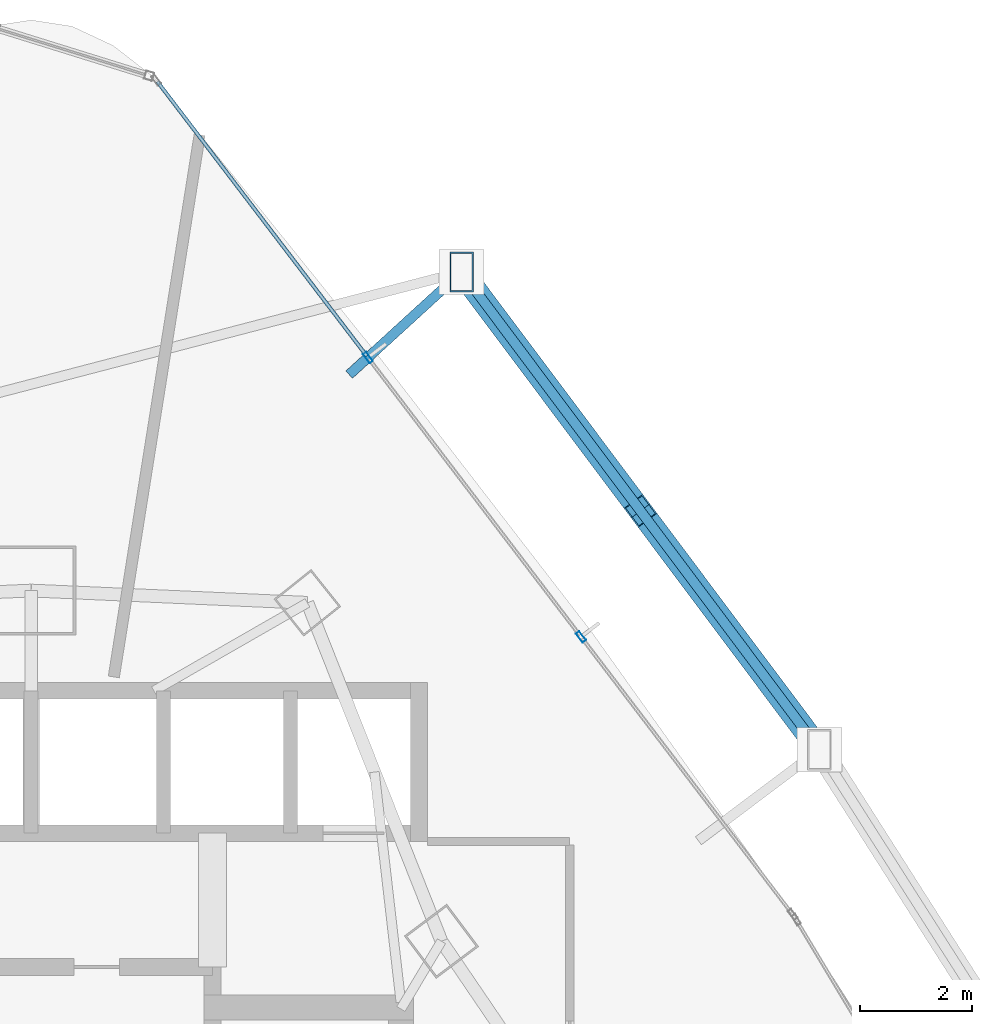
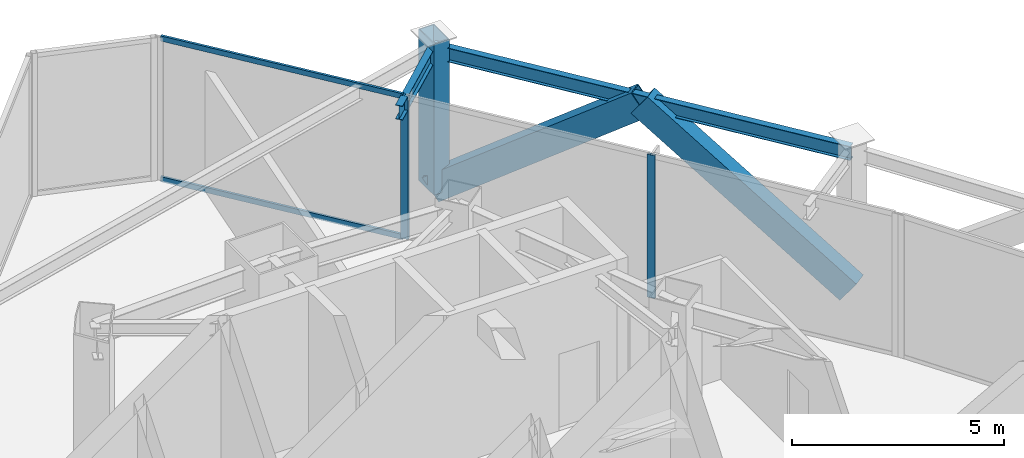
# One storey, part 26 of 33: 7 members, 2 beams, 1 element without a shape of its own.
"""IFC4 building model written with IfcOpenShell, lengths in metres."""

from ifc_helpers import new_model, si_unit, direction, frame, origin, origin_2d, place, context, subcontext, project, spatial, hollow_rectangle, i_section, extrude, material, layer, layer_set, material_profile, profile_set, type_object, element, aggregate, save


model = new_model("IFC4")

# Units and contexts
model_context = context("Model", 3, precision=1e-05, world=origin(), true_north=direction((0.0, 1.0)))
body_context = subcontext(model_context, "Body", "Model", "MODEL_VIEW")
ifc_project = project(units=[si_unit("LENGTHUNIT", "METRE"), si_unit("AREAUNIT", "SQUARE_METRE"), si_unit("VOLUMEUNIT", "CUBIC_METRE"), si_unit("PLANEANGLEUNIT", "RADIAN"), si_unit("MASSUNIT", "GRAM", prefix="KILO")], contexts=[model_context])

# Site, building, storey
site_placement = place(None, origin())
site = spatial("IfcSite", under=ifc_project, at=site_placement, CompositionType="ELEMENT")
building_placement = place(site_placement, origin())
building = spatial("IfcBuilding", under=site, at=building_placement, Name="Orvanel Arch Residences", CompositionType="ELEMENT")
storey_placement = place(building_placement, frame((0.0, 0.0, 59.89990234375)))
storey = spatial("IfcBuildingStorey", under=building, at=storey_placement, Name="L16", CompositionType="ELEMENT", Elevation=59.89990234375)

# Members
ifc_material_1 = material(Name="Structural steel AS/NZS 3678 Grade 350", Category="steel")
ifc_material_profile_1 = material_profile(ifc_material_1, hollow_rectangle(XDim=0.419921875, YDim=0.719970703125, WallThickness=0.02490234375, at=origin_2d()), Name="RHS720x420x25")
ifc_profile_set_1 = profile_set([ifc_material_profile_1], Name="Structural steel AS/NZS 3678 Grade 350")
member_type_1 = type_object("IfcMemberType", Name="BR-720RHS-EXT", PredefinedType="BRACE", material=ifc_profile_set_1)
for number, where, z_axis, x_axis, name in (
    (1, (47.1259765625, 38.544921875, 0.0), (-0.484157702855, 0.646293035898, 0.5898276278), (-0.800333976043, -0.599554440223, 0.0), "L16 Exterior Sky-Garden V-Frame Chevron F3B3.1"),
    (2, (40.7119140625, 47.10693359375, 0.0), (0.484157702855, -0.646293035898, 0.5898276278), (0.800333976043, 0.599554440223, 0.0), "L16 Exterior Sky-Garden V-Frame Chevron F3B3.2"),
):
    element("IfcMember", number, at=place(storey_placement, frame(where, z_axis=z_axis, x_axis=x_axis)), inside=storey, type_object=member_type_1, Name=name, PredefinedType="BRACE", context=body_context, shape_type="SweptSolid", body=[
        extrude(hollow_rectangle(XDim=0.419921875, YDim=0.719970703125, WallThickness=0.02490234375, at=origin_2d()), origin(), (0.0, 0.0, 1.0), 6.6240234375),
    ])
ifc_material_profile_2 = material_profile(ifc_material_1, hollow_rectangle(XDim=0.419921875, YDim=0.719970703125, WallThickness=0.02490234375, at=origin_2d()), Name="RHS720x420x25")
ifc_profile_set_2 = profile_set([ifc_material_profile_2], Name="Structural steel AS/NZS 3678 Grade 350")
member_type_2 = type_object("IfcMemberType", Name="CH-720RHS-EXT", PredefinedType="CHORD", material=ifc_profile_set_2)
member_1_placement = place(storey_placement, frame((40.7119140625, 47.10693359375, 0.0), z_axis=(0.0, 0.0, 1.0), x_axis=(1.0, 0.0, 0.0)))
element("IfcMember", 3, at=member_1_placement, inside=storey, type_object=member_type_2, Name="L16 Outer Perimeter Frame Post 12", PredefinedType="CHORD", context=body_context, shape_type="SweptSolid", body=[
    extrude(hollow_rectangle(XDim=0.419921875, YDim=0.719970703125, WallThickness=0.02490234375, at=origin_2d()), origin(), (0.0, 0.0, 1.0), 4.35009765625),
])

# Curtain wall, members
ifc_material_2 = material(Name="Bronze-anodised aluminium AA6063-T6", Category="aluminium")
ifc_layer = layer(ifc_material_2, 0.195068359375)
ifc_layer_set = layer_set([ifc_layer], Name="Bronze-anodised aluminium AA6063-T6")
curtain_wall_type = type_object("IfcCurtainWallType", Name="CW6-COM-SYS", PredefinedType="NOTDEFINED", material=ifc_layer_set)
curtain_wall_placement = place(storey_placement, origin())
curtain_wall = element("IfcCurtainWall", 4, at=curtain_wall_placement, inside=storey, type_object=curtain_wall_type, Name="L16 CW6-COM-SYS Unitised Curtain Wall", PredefinedType="NOTDEFINED")
ifc_material_profile_3 = material_profile(ifc_material_2, hollow_rectangle(XDim=0.074951171875, YDim=0.199951171875, WallThickness=0.0048828125, at=origin_2d()), Name="ALU200x75x5")
ifc_profile_set_3 = profile_set([ifc_material_profile_3], Name="Bronze-anodised aluminium AA6063-T6")
member_type_3 = type_object("IfcMemberType", Name="MUL-200x75", PredefinedType="MULLION", material=ifc_profile_set_3)
member_2_placement = place(storey_placement, frame((42.852294921875, 40.569091796875, 0.0), z_axis=(0.0, 0.0, 1.0), x_axis=(-0.795041304706, -0.606555293284, 0.0)))
member_2 = element("IfcMember", 5, at=member_2_placement, type_object=member_type_3, Name="CW-S6 mullion 2", PredefinedType="MULLION", context=body_context, shape_type="SweptSolid", body=[
    extrude(hollow_rectangle(XDim=0.074951171875, YDim=0.199951171875, WallThickness=0.0048828125, at=origin_2d()), origin(), (0.0, 0.0, 1.0), 4.110107421875),
])
member_3_placement = place(storey_placement, frame((39.03466796875, 45.572998046875, 0.0), z_axis=(0.0, 0.0, 1.0), x_axis=(-0.795041304706, -0.606555293284, 0.0)))
member_3 = element("IfcMember", 6, at=member_3_placement, type_object=member_type_3, Name="CW-S6 mullion 3", PredefinedType="MULLION", context=body_context, shape_type="SweptSolid", body=[
    extrude(hollow_rectangle(XDim=0.074951171875, YDim=0.199951171875, WallThickness=0.0048828125, at=origin_2d()), origin(), (0.0, 0.0, 1.0), 4.110107421875),
])

# Beams
ifc_material_3 = material(Name="Structural steel AS/NZS 3679.1 Grade 300 (300 MPa)", Category="steel")
ifc_material_profile_4 = material_profile(ifc_material_3, i_section(OverallWidth=0.177978515625, OverallDepth=0.406005859375, WebThickness=0.0078125, FlangeThickness=0.0126953125, at=origin_2d()), Name="410UB59.7")
ifc_profile_set_4 = profile_set([ifc_material_profile_4], Name="Structural steel AS/NZS 3679.1 Grade 300 (300 MPa)")
beam_type = type_object("IfcBeamType", Name="OB-410UB-EXT", PredefinedType="SPANDREL", material=ifc_profile_set_4)
beam_1_placement = place(storey_placement, frame((47.1259765625, 38.544921875, 3.906982421875), z_axis=(-0.599554440223, 0.800333976043, 0.0), x_axis=(-0.800333976043, -0.599554440223, 0.0)))
element("IfcBeam", 7, at=beam_1_placement, inside=storey, type_object=beam_type, Name="L16 Outer Perimeter Floor Ring Beam 11", PredefinedType="SPANDREL", context=body_context, shape_type="SweptSolid", body=[
    extrude(i_section(OverallWidth=0.177978515625, OverallDepth=0.406005859375, WebThickness=0.0078125, FlangeThickness=0.0126953125, at=origin_2d()), origin(), (0.0, 0.0, 1.0), 10.697998046875),
])
beam_2_placement = place(storey_placement, frame((38.697998046875, 45.26708984375, 3.906982421875), z_axis=(0.73829363667, 0.67447943338, 0.0), x_axis=(-0.67447943338, 0.73829363667, 0.0)))
element("IfcBeam", 8, at=beam_2_placement, inside=storey, type_object=beam_type, Name="L16 Outer Frame Radial Tie Beam 12", PredefinedType="SPANDREL", context=body_context, shape_type="SweptSolid", body=[
    extrude(i_section(OverallWidth=0.177978515625, OverallDepth=0.406005859375, WebThickness=0.0078125, FlangeThickness=0.0126953125, at=origin_2d()), origin(), (0.0, 0.0, 1.0), 2.727783203125),
])

# Member
ifc_material_profile_5 = material_profile(ifc_material_2, hollow_rectangle(XDim=0.06494140625, YDim=0.14990234375, WallThickness=0.00390625, at=origin_2d()), Name="ALU150x65x4")
ifc_profile_set_5 = profile_set([ifc_material_profile_5], Name="Bronze-anodised aluminium AA6063-T6")
member_type_4 = type_object("IfcMemberType", Name="TRN-150x65", PredefinedType="USERDEFINED", material=ifc_profile_set_5)
member_4_placement = place(storey_placement, frame((39.011962890625, 45.602783203125, 0.03271484375), z_axis=(-0.606564283233, 0.795034445987, 0.0), x_axis=(-0.795034445987, -0.606564283233, 0.0)))
member_4 = element("IfcMember", 9, at=member_4_placement, type_object=member_type_4, Name="CW-S6 transom 3.1", ObjectType="TRANSOM", PredefinedType="USERDEFINED", context=body_context, shape_type="SweptSolid", body=[
    extrude(hollow_rectangle(XDim=0.06494140625, YDim=0.14990234375, WallThickness=0.00390625, at=origin_2d()), origin(), (0.0, 0.0, 1.0), 6.181640625),
])

member_5_placement = place(storey_placement, frame((39.011962890625, 45.602783203125, 4.07763671875), z_axis=(-0.606564283233, 0.795034445987, 0.0), x_axis=(-0.795034445987, -0.606564283233, 0.0)))
member_5 = element("IfcMember", 10, at=member_5_placement, type_object=member_type_4, Name="CW-S6 transom 3.2", ObjectType="TRANSOM", PredefinedType="USERDEFINED", context=body_context, shape_type="SweptSolid", body=[
    extrude(hollow_rectangle(XDim=0.06494140625, YDim=0.14990234375, WallThickness=0.00390625, at=origin_2d()), origin(), (0.0, 0.0, 1.0), 6.181640625),
])

aggregate(curtain_wall, [member_2, member_3, member_4, member_5])

save(model, "model.ifc")
